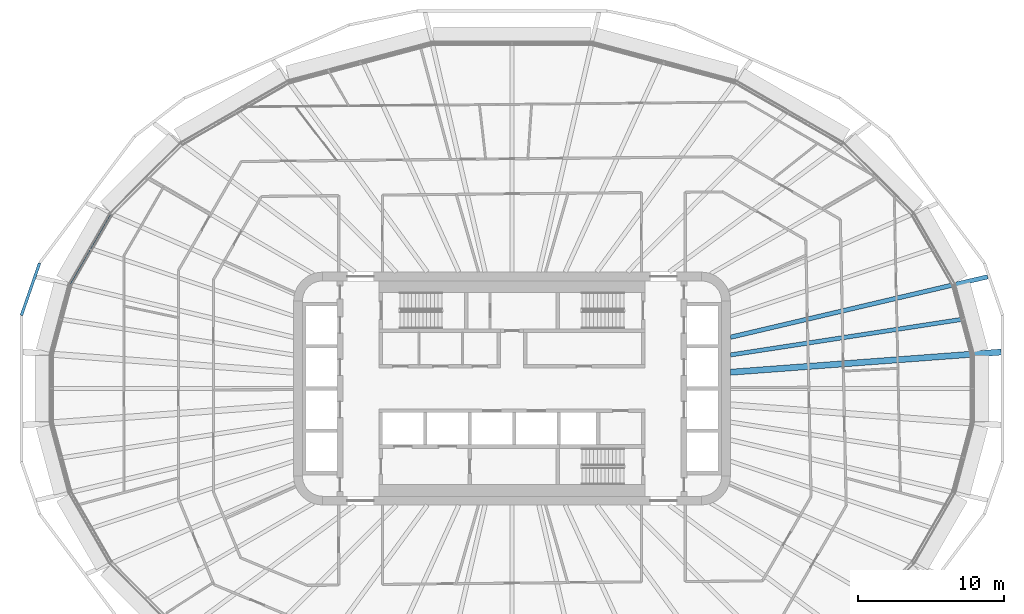
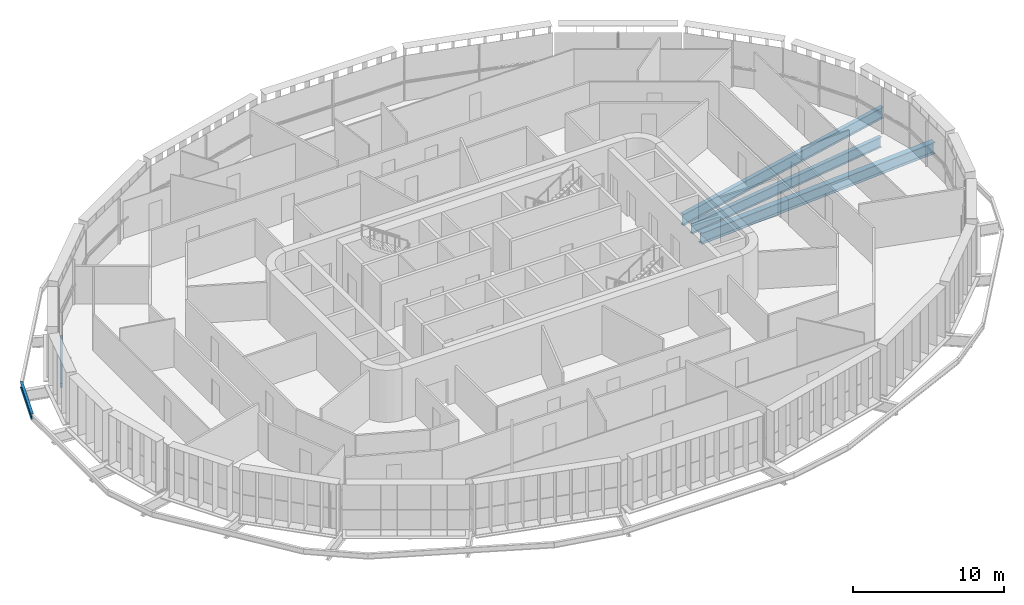
# One storey, part 6 of 26: 5 beams.
"""IFC4 building model written with IfcOpenShell, lengths in metres."""

from ifc_helpers import new_model, si_unit, direction, frame, origin, origin_2d, place, context, subcontext, project, spatial, i_section, extrude, material, material_profile, profile_set, type_object, element, save


model = new_model("IFC4")

# Units and contexts
model_context = context("Model", 3, precision=1e-05, world=origin(), true_north=direction((0.0, 1.0)))
body_context = subcontext(model_context, "Body", "Model", "MODEL_VIEW")
ifc_project = project(units=[si_unit("LENGTHUNIT", "METRE"), si_unit("AREAUNIT", "SQUARE_METRE"), si_unit("VOLUMEUNIT", "CUBIC_METRE"), si_unit("PLANEANGLEUNIT", "RADIAN"), si_unit("MASSUNIT", "GRAM", prefix="KILO")], contexts=[model_context])

# Site, building, storey
site_placement = place(None, origin())
site = spatial("IfcSite", under=ifc_project, at=site_placement, CompositionType="ELEMENT")
building_placement = place(site_placement, origin())
building = spatial("IfcBuilding", under=site, at=building_placement, Name="Sahrelin Media Tower", CompositionType="ELEMENT")
storey_placement = place(building_placement, frame((0.0, 0.0, 92.39990234375)))
storey = spatial("IfcBuildingStorey", under=building, at=storey_placement, Name="L17", CompositionType="ELEMENT", Elevation=92.39990234375)

# Beams
ifc_material = material(Name="Steel S355", Category="steel")
ifc_material_profile_1 = material_profile(ifc_material, i_section(OverallWidth=0.1650390625, OverallDepth=0.303466796875, WebThickness=0.006103515625, FlangeThickness=0.01025390625, FilletRadius=0.0087890625, at=origin_2d()), Name="UB 305x165x40")
ifc_profile_set_1 = profile_set([ifc_material_profile_1], Name="Steel S355")
beam_type_1 = type_object("IfcBeamType", Name="Edge beam EB2", PredefinedType="BEAM", material=ifc_profile_set_1)
beam_1_placement = place(storey_placement, frame((-30.282958984375, 7.103271484375, -0.301513671875), z_axis=(0.499998387408, 0.866026334813, 0.0), x_axis=(-0.866026334813, 0.499998387408, 0.0)))
element("IfcBeam", 1, at=beam_1_placement, inside=storey, type_object=beam_type_1, Name="Edge beam L17-15", PredefinedType="BEAM", context=body_context, shape_type="SweptSolid", body=[
    extrude(i_section(OverallWidth=0.1650390625, OverallDepth=0.303466796875, WebThickness=0.006103515625, FlangeThickness=0.01025390625, FilletRadius=0.0087890625, at=origin_2d()), origin(), (0.0, 0.0, 1.0), 5.5654296875),
])
ifc_material_profile_2 = material_profile(ifc_material, i_section(OverallWidth=0.30322265625, OverallDepth=0.903076171875, WebThickness=0.01513671875, FlangeThickness=0.020263671875, FilletRadius=0.01904296875, at=origin_2d()), Name="UB 914x305x201")
ifc_profile_set_2 = profile_set([ifc_material_profile_2], Name="Steel S355")
beam_type_2 = type_object("IfcBeamType", Name="Radial primary beam PB11", PredefinedType="BEAM", material=ifc_profile_set_2)
beam_2_placement = place(storey_placement, frame((15.0, 3.523681640625, -0.601318359375), z_axis=(0.973496009556, 0.22870399948, 0.0), x_axis=(-0.22870399948, 0.973496009556, 0.0)))
element("IfcBeam", 2, at=beam_2_placement, inside=storey, type_object=beam_type_2, Name="Radial beam L17-02", PredefinedType="BEAM", context=body_context, shape_type="SweptSolid", body=[
    extrude(i_section(OverallWidth=0.30322265625, OverallDepth=0.903076171875, WebThickness=0.01513671875, FlangeThickness=0.020263671875, FilletRadius=0.01904296875, at=origin_2d()), origin(), (0.0, 0.0, 1.0), 18.139892578125),
])
ifc_material_profile_3 = material_profile(ifc_material, i_section(OverallWidth=0.41845703125, OverallDepth=0.911865234375, WebThickness=0.019287109375, FlangeThickness=0.031982421875, FilletRadius=0.024169921875, at=origin_2d()), Name="UB 914x419x343")
ifc_profile_set_3 = profile_set([ifc_material_profile_3], Name="Steel S355")
beam_type_3 = type_object("IfcBeamType", Name="Radial primary beam PB12", PredefinedType="BEAM", material=ifc_profile_set_3)
beam_3_placement = place(storey_placement, frame((15.0, 1.119384765625, -0.605712890625), z_axis=(0.997226716944, 0.074423618647, 0.0), x_axis=(-0.074423618647, 0.997226716944, 0.0)))
element("IfcBeam", 3, at=beam_3_placement, inside=storey, type_object=beam_type_3, Name="Radial beam L17-01", PredefinedType="BEAM", context=body_context, shape_type="SweptSolid", body=[
    extrude(i_section(OverallWidth=0.41845703125, OverallDepth=0.911865234375, WebThickness=0.019287109375, FlangeThickness=0.031982421875, FilletRadius=0.024169921875, at=origin_2d()), origin(), (0.0, 0.0, 1.0), 18.639404296875),
])
ifc_material_profile_4 = material_profile(ifc_material, i_section(OverallWidth=0.291748046875, OverallDepth=0.8349609375, WebThickness=0.013916015625, FlangeThickness=0.018798828125, FilletRadius=0.017822265625, at=origin_2d()), Name="UB 838x292x176")
ifc_profile_set_4 = profile_set([ifc_material_profile_4], Name="Steel S355")
beam_type_4 = type_object("IfcBeamType", Name="Radial secondary beam SB10", PredefinedType="BEAM", material=ifc_profile_set_4)
beam_4_placement = place(storey_placement, frame((15.0, 2.30712890625, -0.5673828125), z_axis=(0.988375923041, 0.152029716678, 0.0), x_axis=(-0.152029716678, 0.988375923041, 0.0)))
element("IfcBeam", 4, at=beam_4_placement, inside=storey, type_object=beam_type_4, Name="Secondary beam L17-01", PredefinedType="BEAM", context=body_context, shape_type="SweptSolid", body=[
    extrude(i_section(OverallWidth=0.291748046875, OverallDepth=0.8349609375, WebThickness=0.013916015625, FlangeThickness=0.018798828125, FilletRadius=0.017822265625, at=origin_2d()), origin(), (0.0, 0.0, 1.0), 16.02978515625),
])
ifc_material_profile_5 = material_profile(ifc_material, i_section(OverallWidth=0.1904296875, OverallDepth=0.45703125, WebThickness=0.009033203125, FlangeThickness=0.014404296875, FilletRadius=0.01025390625, at=origin_2d()), Name="UB 457x191x74")
ifc_profile_set_5 = profile_set([ifc_material_profile_5], Name="Steel S355")
beam_type_5 = type_object("IfcBeamType", Name="Tie chord TC5", PredefinedType="BEAM", material=ifc_profile_set_5)
beam_5_placement = place(storey_placement, frame((-32.43212890625, 8.614013671875, -0.37841796875), z_axis=(-0.328791940532, -0.944402382378, 0.0), x_axis=(0.944402382378, -0.328791940532, 0.0)))
element("IfcBeam", 5, at=beam_5_placement, inside=storey, type_object=beam_type_5, Name="Tie chord L17-11", PredefinedType="BEAM", context=body_context, shape_type="SweptSolid", body=[
    extrude(i_section(OverallWidth=0.1904296875, OverallDepth=0.45703125, WebThickness=0.009033203125, FlangeThickness=0.014404296875, FilletRadius=0.01025390625, at=origin_2d()), origin(), (0.0, 0.0, 1.0), 3.803955078125),
])

save(model, "model.ifc")
